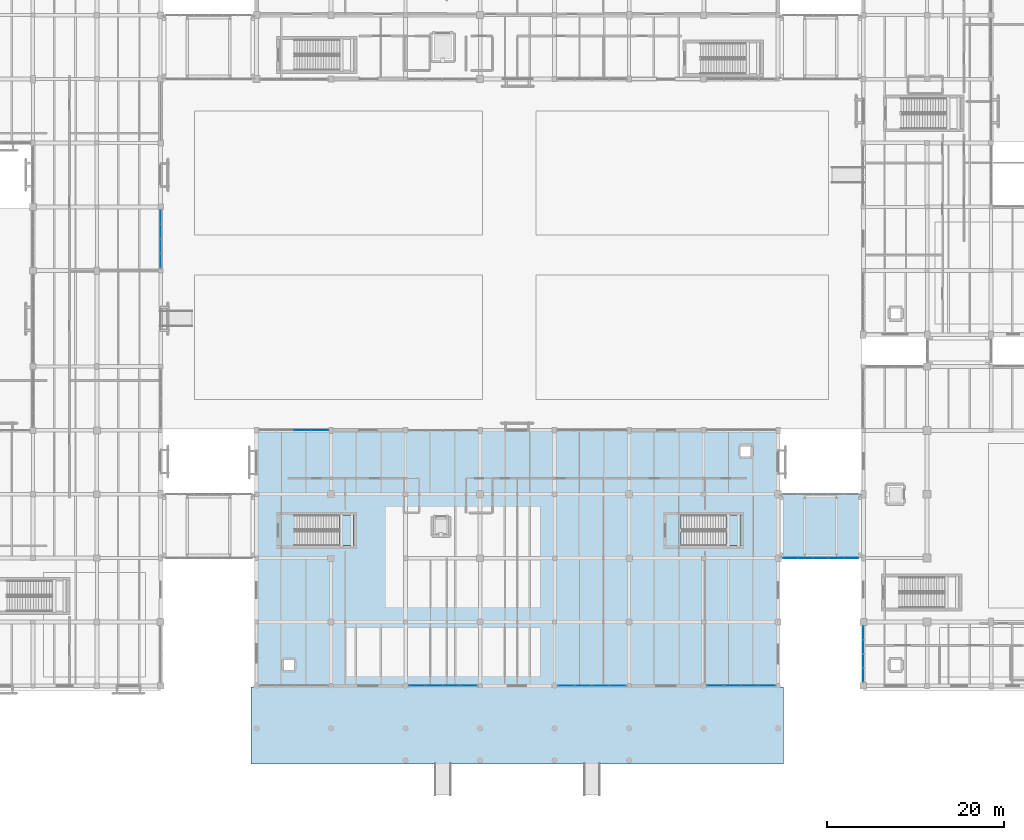
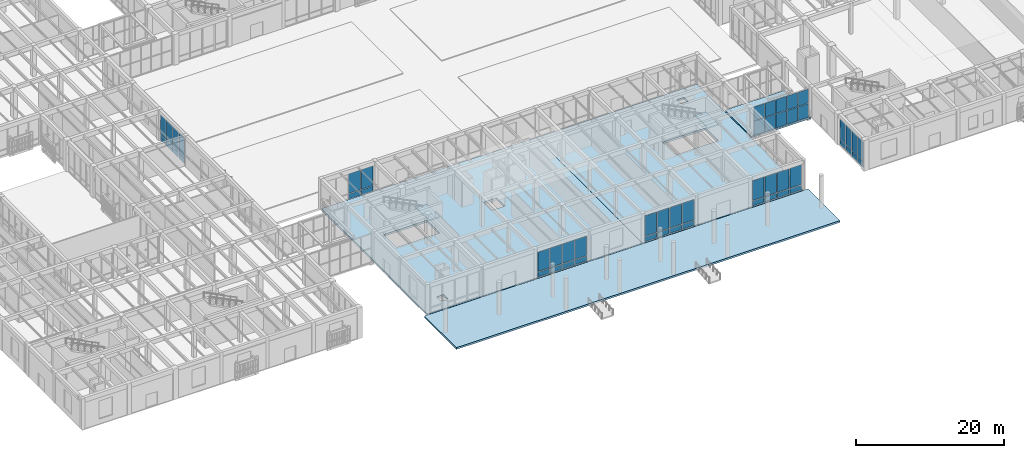
# One storey, part 111 of 169: 54 plates, 6 slabs, 9 elements without a shape of their own.
"""IFC4 building model written with IfcOpenShell, lengths in metres."""

from ifc_helpers import new_model, si_unit, direction, frame, origin, origin_2d, place, context, subcontext, project, spatial, polyline, rectangle, outline, extrude, material, layer, layer_set, type_object, element, aggregate, save


model = new_model("IFC4")

# Units and contexts
model_context = context("Model", 3, precision=1e-05, world=origin(), true_north=direction((0.0, 1.0)))
body_context = subcontext(model_context, "Body", "Model", "MODEL_VIEW")
ifc_project = project(units=[si_unit("LENGTHUNIT", "METRE"), si_unit("AREAUNIT", "SQUARE_METRE"), si_unit("VOLUMEUNIT", "CUBIC_METRE"), si_unit("PLANEANGLEUNIT", "RADIAN"), si_unit("MASSUNIT", "GRAM", prefix="KILO")], contexts=[model_context])

# Site, building, storey
site_placement = place(None, origin())
site = spatial("IfcSite", under=ifc_project, at=site_placement, CompositionType="ELEMENT")
building_placement = place(site_placement, origin())
building = spatial("IfcBuilding", under=site, at=building_placement, Name="Mazaris Harbour Polytechnic", CompositionType="ELEMENT")
storey_placement = place(building_placement, origin())
storey = spatial("IfcBuildingStorey", under=building, at=storey_placement, Name="L00", CompositionType="ELEMENT", Elevation=0.0)

# Slab
ifc_material_1 = material(Name="Glulam GL28h and Concrete C30/37", Category="concrete")
ifc_layer_1 = layer(ifc_material_1, 0.264892578125, Name="Glulam GL28h and Concrete C30/37")
ifc_layer_set_1 = layer_set([ifc_layer_1], Name="Glulam GL28h and Concrete C30/37")
slab_type_1 = type_object("IfcSlabType", Name="CLT Composite Floor 265", PredefinedType="FLOOR", material=ifc_layer_set_1)
slab_1_placement = place(storey_placement, frame((0.0, 0.0, -0.264892578125)))
element("IfcSlab", 1, at=slab_1_placement, inside=storey, type_object=slab_type_1, Name="PB-E1 L00 Bridge Deck", PredefinedType="FLOOR", context=body_context, shape_type="SweptSolid", body=[
    extrude(outline(polyline([(122.25, 21.60009765625), (122.25, 28.800048828125), (112.949951171875, 28.800048828125), (112.949951171875, 21.60009765625), (122.25, 21.60009765625)])), origin(), (0.0, 0.0, 1.0), 0.264892578125),
])

# Curtain wall, plates
ifc_material_2 = material(Name="Anodised Bronze Aluminium and Low-E Glass", Category="aluminium")
ifc_layer_2 = layer(ifc_material_2, 0.139892578125, Name="Anodised Bronze Aluminium and Low-E Glass")
ifc_layer_set_2 = layer_set([ifc_layer_2], Name="Anodised Bronze Aluminium and Low-E Glass")
curtain_wall_type_1 = type_object("IfcCurtainWallType", Name="Seismic Link Bridge Glazing", PredefinedType="NOTDEFINED", material=ifc_layer_set_2)
curtain_wall_1_placement = place(storey_placement, origin())
curtain_wall_1 = element("IfcCurtainWall", 2, at=curtain_wall_1_placement, inside=storey, type_object=curtain_wall_type_1, Name="PB-E1 L00 Bridge Glazing", PredefinedType="NOTDEFINED")
ifc_material_3 = material(Name="Anodised Bronze Insulated Panel")
ifc_layer_3 = layer(ifc_material_3, 0.0419921875, Name="Anodised Bronze Insulated Panel")
ifc_layer_set_3 = layer_set([ifc_layer_3], Name="Anodised Bronze Insulated Panel")
plate_type_1 = type_object("IfcPlateType", Name="Insulated Bronze Spandrel Panel 42", PredefinedType="CURTAIN_PANEL", material=ifc_layer_set_3)
plate_1_placement = place(storey_placement, frame((114.1640625, 21.60009765625, 0.080078125), z_axis=(0.0, 0.0, 1.0), x_axis=(1.0, 0.0, 0.0)))
plate_1 = element("IfcPlate", 3, at=plate_1_placement, type_object=plate_type_1, Name="CW-05 panel 1.1", PredefinedType="CURTAIN_PANEL", context=body_context, shape_type="SweptSolid", body=[
    extrude(rectangle(XDim=1.60791015625, YDim=0.0419921875, at=origin_2d()), origin(), (0.0, 0.0, 1.0), 2.297607421875),
])
plate_2_placement = place(storey_placement, frame((114.1640625, 21.60009765625, 2.45751953125), z_axis=(0.0, 0.0, 1.0), x_axis=(1.0, 0.0, 0.0)))
plate_2 = element("IfcPlate", 4, at=plate_2_placement, type_object=plate_type_1, Name="CW-05 panel 1.2", PredefinedType="CURTAIN_PANEL", context=body_context, shape_type="SweptSolid", body=[
    extrude(rectangle(XDim=1.60791015625, YDim=0.0419921875, at=origin_2d()), origin(), (0.0, 0.0, 1.0), 2.297607421875),
])
plate_3_placement = place(storey_placement, frame((115.8720703125, 21.60009765625, 0.080078125), z_axis=(0.0, 0.0, 1.0), x_axis=(1.0, 0.0, 0.0)))
plate_3 = element("IfcPlate", 5, at=plate_3_placement, type_object=plate_type_1, Name="CW-05 panel 2.1", PredefinedType="CURTAIN_PANEL", context=body_context, shape_type="SweptSolid", body=[
    extrude(rectangle(XDim=1.64794921875, YDim=0.0419921875, at=origin_2d()), origin(), (0.0, 0.0, 1.0), 2.297607421875),
])
plate_4_placement = place(storey_placement, frame((115.8720703125, 21.60009765625, 2.45751953125), z_axis=(0.0, 0.0, 1.0), x_axis=(1.0, 0.0, 0.0)))
plate_4 = element("IfcPlate", 6, at=plate_4_placement, type_object=plate_type_1, Name="CW-05 panel 2.2", PredefinedType="CURTAIN_PANEL", context=body_context, shape_type="SweptSolid", body=[
    extrude(rectangle(XDim=1.64794921875, YDim=0.0419921875, at=origin_2d()), origin(), (0.0, 0.0, 1.0), 2.297607421875),
])
plate_5_placement = place(storey_placement, frame((117.60009765625, 21.60009765625, 0.080078125), z_axis=(0.0, 0.0, 1.0), x_axis=(1.0, 0.0, 0.0)))
plate_5 = element("IfcPlate", 7, at=plate_5_placement, type_object=plate_type_1, Name="CW-05 panel 3.1", PredefinedType="CURTAIN_PANEL", context=body_context, shape_type="SweptSolid", body=[
    extrude(rectangle(XDim=1.64794921875, YDim=0.0419921875, at=origin_2d()), origin(), (0.0, 0.0, 1.0), 2.297607421875),
])
plate_6_placement = place(storey_placement, frame((117.60009765625, 21.60009765625, 2.45751953125), z_axis=(0.0, 0.0, 1.0), x_axis=(1.0, 0.0, 0.0)))
plate_6 = element("IfcPlate", 8, at=plate_6_placement, type_object=plate_type_1, Name="CW-05 panel 3.2", PredefinedType="CURTAIN_PANEL", context=body_context, shape_type="SweptSolid", body=[
    extrude(rectangle(XDim=1.64794921875, YDim=0.0419921875, at=origin_2d()), origin(), (0.0, 0.0, 1.0), 2.297607421875),
])
plate_7_placement = place(storey_placement, frame((119.327880859375, 21.60009765625, 0.080078125), z_axis=(0.0, 0.0, 1.0), x_axis=(1.0, 0.0, 0.0)))
plate_7 = element("IfcPlate", 9, at=plate_7_placement, type_object=plate_type_1, Name="CW-05 panel 4.1", PredefinedType="CURTAIN_PANEL", context=body_context, shape_type="SweptSolid", body=[
    extrude(rectangle(XDim=1.64794921875, YDim=0.0419921875, at=origin_2d()), origin(), (0.0, 0.0, 1.0), 2.297607421875),
])
plate_8_placement = place(storey_placement, frame((119.327880859375, 21.60009765625, 2.45751953125), z_axis=(0.0, 0.0, 1.0), x_axis=(1.0, 0.0, 0.0)))
plate_8 = element("IfcPlate", 10, at=plate_8_placement, type_object=plate_type_1, Name="CW-05 panel 4.2", PredefinedType="CURTAIN_PANEL", context=body_context, shape_type="SweptSolid", body=[
    extrude(rectangle(XDim=1.64794921875, YDim=0.0419921875, at=origin_2d()), origin(), (0.0, 0.0, 1.0), 2.297607421875),
])
plate_9_placement = place(storey_placement, frame((121.035888671875, 21.60009765625, 0.080078125), z_axis=(0.0, 0.0, 1.0), x_axis=(1.0, 0.0, 0.0)))
plate_9 = element("IfcPlate", 11, at=plate_9_placement, type_object=plate_type_1, Name="CW-05 panel 5.1", PredefinedType="CURTAIN_PANEL", context=body_context, shape_type="SweptSolid", body=[
    extrude(rectangle(XDim=1.60791015625, YDim=0.0419921875, at=origin_2d()), origin(), (0.0, 0.0, 1.0), 2.297607421875),
])
plate_10_placement = place(storey_placement, frame((121.035888671875, 21.60009765625, 2.45751953125), z_axis=(0.0, 0.0, 1.0), x_axis=(1.0, 0.0, 0.0)))
plate_10 = element("IfcPlate", 12, at=plate_10_placement, type_object=plate_type_1, Name="CW-05 panel 5.2", PredefinedType="CURTAIN_PANEL", context=body_context, shape_type="SweptSolid", body=[
    extrude(rectangle(XDim=1.60791015625, YDim=0.0419921875, at=origin_2d()), origin(), (0.0, 0.0, 1.0), 2.297607421875),
])
aggregate(curtain_wall_1, [plate_1, plate_2, plate_3, plate_4, plate_5, plate_6, plate_7, plate_8, plate_9, plate_10])

ifc_material_4 = material(Name="Anodised Bronze Aluminium and Low-E Glass", Category="aluminium")
ifc_layer_4 = layer(ifc_material_4, 0.159912109375, Name="Anodised Bronze Aluminium and Low-E Glass")
ifc_layer_set_4 = layer_set([ifc_layer_4], Name="Anodised Bronze Aluminium and Low-E Glass")
curtain_wall_type_2 = type_object("IfcCurtainWallType", Name="Cloister Court Curtain Wall", PredefinedType="NOTDEFINED", material=ifc_layer_set_4)
curtain_wall_2_placement = place(storey_placement, origin())
curtain_wall_2 = element("IfcCurtainWall", 13, at=curtain_wall_2_placement, inside=storey, type_object=curtain_wall_type_2, Name="V2 L00 Curtain Wall 41", PredefinedType="NOTDEFINED")
ifc_material_5 = material(Name="Low-E Double Glazing", Category="glass")
ifc_layer_5 = layer(ifc_material_5, 0.028076171875, Name="Low-E Double Glazing")
ifc_layer_set_5 = layer_set([ifc_layer_5], Name="Low-E Double Glazing")
plate_type_2 = type_object("IfcPlateType", Name="Low-E Vision Glass Panel 28", PredefinedType="CURTAIN_PANEL", material=ifc_layer_set_5)
plate_11_placement = place(storey_placement, frame((122.39990234375, 8.39208984375, 0.080078125), z_axis=(0.0, 0.0, 1.0), x_axis=(0.0, 1.0, 0.0)))
plate_11 = element("IfcPlate", 14, at=plate_11_placement, type_object=plate_type_2, Name="CW-02 panel 1.1", PredefinedType="CURTAIN_PANEL", context=body_context, shape_type="SweptSolid", body=[
    extrude(rectangle(XDim=1.490234375, YDim=0.028076171875, at=origin_2d()), origin(), (0.0, 0.0, 1.0), 0.830078125),
])
plate_12_placement = place(storey_placement, frame((122.39990234375, 8.39208984375, 0.98974609375), z_axis=(0.0, 0.0, 1.0), x_axis=(0.0, 1.0, 0.0)))
plate_12 = element("IfcPlate", 15, at=plate_12_placement, type_object=plate_type_2, Name="CW-02 panel 1.2", PredefinedType="CURTAIN_PANEL", context=body_context, shape_type="SweptSolid", body=[
    extrude(rectangle(XDim=1.490234375, YDim=0.028076171875, at=origin_2d()), origin(), (0.0, 0.0, 1.0), 3.320068359375),
])
plate_13_placement = place(storey_placement, frame((122.39990234375, 9.982421875, 0.080078125), z_axis=(0.0, 0.0, 1.0), x_axis=(0.0, 1.0, 0.0)))
plate_13 = element("IfcPlate", 16, at=plate_13_placement, type_object=plate_type_2, Name="CW-02 panel 2.1", PredefinedType="CURTAIN_PANEL", context=body_context, shape_type="SweptSolid", body=[
    extrude(rectangle(XDim=1.5302734375, YDim=0.028076171875, at=origin_2d()), origin(), (0.0, 0.0, 1.0), 0.830078125),
])
plate_14_placement = place(storey_placement, frame((122.39990234375, 9.982421875, 0.98974609375), z_axis=(0.0, 0.0, 1.0), x_axis=(0.0, 1.0, 0.0)))
plate_14 = element("IfcPlate", 17, at=plate_14_placement, type_object=plate_type_2, Name="CW-02 panel 2.2", PredefinedType="CURTAIN_PANEL", context=body_context, shape_type="SweptSolid", body=[
    extrude(rectangle(XDim=1.5302734375, YDim=0.028076171875, at=origin_2d()), origin(), (0.0, 0.0, 1.0), 3.320068359375),
])
plate_15_placement = place(storey_placement, frame((122.39990234375, 11.592529296875, 0.080078125), z_axis=(0.0, 0.0, 1.0), x_axis=(0.0, 1.0, 0.0)))
plate_15 = element("IfcPlate", 18, at=plate_15_placement, type_object=plate_type_2, Name="CW-02 panel 3.1", PredefinedType="CURTAIN_PANEL", context=body_context, shape_type="SweptSolid", body=[
    extrude(rectangle(XDim=1.5302734375, YDim=0.028076171875, at=origin_2d()), origin(), (0.0, 0.0, 1.0), 0.830078125),
])
plate_16_placement = place(storey_placement, frame((122.39990234375, 11.592529296875, 0.98974609375), z_axis=(0.0, 0.0, 1.0), x_axis=(0.0, 1.0, 0.0)))
plate_16 = element("IfcPlate", 19, at=plate_16_placement, type_object=plate_type_2, Name="CW-02 panel 3.2", PredefinedType="CURTAIN_PANEL", context=body_context, shape_type="SweptSolid", body=[
    extrude(rectangle(XDim=1.5302734375, YDim=0.028076171875, at=origin_2d()), origin(), (0.0, 0.0, 1.0), 3.320068359375),
])
plate_17_placement = place(storey_placement, frame((122.39990234375, 13.182861328125, 0.080078125), z_axis=(0.0, 0.0, 1.0), x_axis=(0.0, 1.0, 0.0)))
plate_17 = element("IfcPlate", 20, at=plate_17_placement, type_object=plate_type_2, Name="CW-02 panel 4.1", PredefinedType="CURTAIN_PANEL", context=body_context, shape_type="SweptSolid", body=[
    extrude(rectangle(XDim=1.490234375, YDim=0.028076171875, at=origin_2d()), origin(), (0.0, 0.0, 1.0), 0.830078125),
])
plate_18_placement = place(storey_placement, frame((122.39990234375, 13.182861328125, 0.98974609375), z_axis=(0.0, 0.0, 1.0), x_axis=(0.0, 1.0, 0.0)))
plate_18 = element("IfcPlate", 21, at=plate_18_placement, type_object=plate_type_2, Name="CW-02 panel 4.2", PredefinedType="CURTAIN_PANEL", context=body_context, shape_type="SweptSolid", body=[
    extrude(rectangle(XDim=1.490234375, YDim=0.028076171875, at=origin_2d()), origin(), (0.0, 0.0, 1.0), 3.320068359375),
])
aggregate(curtain_wall_2, [plate_11, plate_12, plate_13, plate_14, plate_15, plate_16, plate_17, plate_18])

ifc_material_6 = material(Name="Anodised Bronze Aluminium and Low-E Glass", Category="aluminium")
ifc_layer_6 = layer(ifc_material_6, 0.179931640625, Name="Anodised Bronze Aluminium and Low-E Glass")
ifc_layer_set_6 = layer_set([ifc_layer_6], Name="Anodised Bronze Aluminium and Low-E Glass")
curtain_wall_type_3 = type_object("IfcCurtainWallType", Name="Harbour Colonnade Curtain Wall", PredefinedType="NOTDEFINED", material=ifc_layer_set_6)
curtain_wall_3_placement = place(storey_placement, origin())
curtain_wall_3 = element("IfcCurtainWall", 22, at=curtain_wall_3_placement, inside=storey, type_object=curtain_wall_type_3, Name="V3 L00 Curtain Wall 61", PredefinedType="NOTDEFINED")
plate_19_placement = place(storey_placement, frame((77.930908203125, 7.199951171875, 0.119873046875), z_axis=(0.0, 0.0, 1.0), x_axis=(-1.0, 0.0, 0.0)))
plate_19 = element("IfcPlate", 23, at=plate_19_placement, type_object=plate_type_2, Name="CW-01 panel 1.1", PredefinedType="CURTAIN_PANEL", context=body_context, shape_type="SweptSolid", body=[
    extrude(rectangle(XDim=1.803955078125, YDim=0.028076171875, at=origin_2d()), origin(), (0.0, 0.0, 1.0), 0.77001953125),
])
plate_20_placement = place(storey_placement, frame((77.930908203125, 7.199951171875, 1.010009765625), z_axis=(0.0, 0.0, 1.0), x_axis=(-1.0, 0.0, 0.0)))
plate_20 = element("IfcPlate", 24, at=plate_20_placement, type_object=plate_type_2, Name="CW-01 panel 1.2", PredefinedType="CURTAIN_PANEL", context=body_context, shape_type="SweptSolid", body=[
    extrude(rectangle(XDim=1.803955078125, YDim=0.028076171875, at=origin_2d()), origin(), (0.0, 0.0, 1.0), 3.2099609375),
])
plate_21_placement = place(storey_placement, frame((76.001953125, 7.199951171875, 0.119873046875), z_axis=(0.0, 0.0, 1.0), x_axis=(-1.0, 0.0, 0.0)))
plate_21 = element("IfcPlate", 25, at=plate_21_placement, type_object=plate_type_2, Name="CW-01 panel 2.1", PredefinedType="CURTAIN_PANEL", context=body_context, shape_type="SweptSolid", body=[
    extrude(rectangle(XDim=1.85400390625, YDim=0.028076171875, at=origin_2d()), origin(), (0.0, 0.0, 1.0), 0.77001953125),
])
plate_22_placement = place(storey_placement, frame((76.001953125, 7.199951171875, 1.010009765625), z_axis=(0.0, 0.0, 1.0), x_axis=(-1.0, 0.0, 0.0)))
plate_22 = element("IfcPlate", 26, at=plate_22_placement, type_object=plate_type_2, Name="CW-01 panel 2.2", PredefinedType="CURTAIN_PANEL", context=body_context, shape_type="SweptSolid", body=[
    extrude(rectangle(XDim=1.85400390625, YDim=0.028076171875, at=origin_2d()), origin(), (0.0, 0.0, 1.0), 3.2099609375),
])
plate_23_placement = place(storey_placement, frame((74.048095703125, 7.199951171875, 0.119873046875), z_axis=(0.0, 0.0, 1.0), x_axis=(-1.0, 0.0, 0.0)))
plate_23 = element("IfcPlate", 27, at=plate_23_placement, type_object=plate_type_2, Name="CW-01 panel 3.1", PredefinedType="CURTAIN_PANEL", context=body_context, shape_type="SweptSolid", body=[
    extrude(rectangle(XDim=1.85400390625, YDim=0.028076171875, at=origin_2d()), origin(), (0.0, 0.0, 1.0), 0.77001953125),
])
plate_24_placement = place(storey_placement, frame((74.048095703125, 7.199951171875, 1.010009765625), z_axis=(0.0, 0.0, 1.0), x_axis=(-1.0, 0.0, 0.0)))
plate_24 = element("IfcPlate", 28, at=plate_24_placement, type_object=plate_type_2, Name="CW-01 panel 3.2", PredefinedType="CURTAIN_PANEL", context=body_context, shape_type="SweptSolid", body=[
    extrude(rectangle(XDim=1.85400390625, YDim=0.028076171875, at=origin_2d()), origin(), (0.0, 0.0, 1.0), 3.2099609375),
])
plate_25_placement = place(storey_placement, frame((72.118896484375, 7.199951171875, 0.119873046875), z_axis=(0.0, 0.0, 1.0), x_axis=(-1.0, 0.0, 0.0)))
plate_25 = element("IfcPlate", 29, at=plate_25_placement, type_object=plate_type_2, Name="CW-01 panel 4.1", PredefinedType="CURTAIN_PANEL", context=body_context, shape_type="SweptSolid", body=[
    extrude(rectangle(XDim=1.803955078125, YDim=0.028076171875, at=origin_2d()), origin(), (0.0, 0.0, 1.0), 0.77001953125),
])
plate_26_placement = place(storey_placement, frame((72.118896484375, 7.199951171875, 1.010009765625), z_axis=(0.0, 0.0, 1.0), x_axis=(-1.0, 0.0, 0.0)))
plate_26 = element("IfcPlate", 30, at=plate_26_placement, type_object=plate_type_2, Name="CW-01 panel 4.2", PredefinedType="CURTAIN_PANEL", context=body_context, shape_type="SweptSolid", body=[
    extrude(rectangle(XDim=1.803955078125, YDim=0.028076171875, at=origin_2d()), origin(), (0.0, 0.0, 1.0), 3.2099609375),
])
aggregate(curtain_wall_3, [plate_19, plate_20, plate_21, plate_22, plate_23, plate_24, plate_25, plate_26])

curtain_wall_4_placement = place(storey_placement, origin())
curtain_wall_4 = element("IfcCurtainWall", 31, at=curtain_wall_4_placement, inside=storey, type_object=curtain_wall_type_3, Name="V3 L00 Curtain Wall 62", PredefinedType="NOTDEFINED")
plate_27_placement = place(storey_placement, frame((94.73095703125, 7.199951171875, 0.119873046875), z_axis=(0.0, 0.0, 1.0), x_axis=(-1.0, 0.0, 0.0)))
plate_27 = element("IfcPlate", 32, at=plate_27_placement, type_object=plate_type_2, Name="CW-01 panel 1.1", PredefinedType="CURTAIN_PANEL", context=body_context, shape_type="SweptSolid", body=[
    extrude(rectangle(XDim=1.803955078125, YDim=0.028076171875, at=origin_2d()), origin(), (0.0, 0.0, 1.0), 0.77001953125),
])
plate_28_placement = place(storey_placement, frame((94.73095703125, 7.199951171875, 1.009765625), z_axis=(0.0, 0.0, 1.0), x_axis=(-1.0, 0.0, 0.0)))
plate_28 = element("IfcPlate", 33, at=plate_28_placement, type_object=plate_type_2, Name="CW-01 panel 1.2", PredefinedType="CURTAIN_PANEL", context=body_context, shape_type="SweptSolid", body=[
    extrude(rectangle(XDim=1.803955078125, YDim=0.028076171875, at=origin_2d()), origin(), (0.0, 0.0, 1.0), 3.360107421875),
])
plate_29_placement = place(storey_placement, frame((92.802001953125, 7.199951171875, 0.119873046875), z_axis=(0.0, 0.0, 1.0), x_axis=(-1.0, 0.0, 0.0)))
plate_29 = element("IfcPlate", 34, at=plate_29_placement, type_object=plate_type_2, Name="CW-01 panel 2.1", PredefinedType="CURTAIN_PANEL", context=body_context, shape_type="SweptSolid", body=[
    extrude(rectangle(XDim=1.85400390625, YDim=0.028076171875, at=origin_2d()), origin(), (0.0, 0.0, 1.0), 0.77001953125),
])
plate_30_placement = place(storey_placement, frame((92.802001953125, 7.199951171875, 1.009765625), z_axis=(0.0, 0.0, 1.0), x_axis=(-1.0, 0.0, 0.0)))
plate_30 = element("IfcPlate", 35, at=plate_30_placement, type_object=plate_type_2, Name="CW-01 panel 2.2", PredefinedType="CURTAIN_PANEL", context=body_context, shape_type="SweptSolid", body=[
    extrude(rectangle(XDim=1.85400390625, YDim=0.028076171875, at=origin_2d()), origin(), (0.0, 0.0, 1.0), 3.360107421875),
])
plate_31_placement = place(storey_placement, frame((90.847900390625, 7.199951171875, 0.119873046875), z_axis=(0.0, 0.0, 1.0), x_axis=(-1.0, 0.0, 0.0)))
plate_31 = element("IfcPlate", 36, at=plate_31_placement, type_object=plate_type_2, Name="CW-01 panel 3.1", PredefinedType="CURTAIN_PANEL", context=body_context, shape_type="SweptSolid", body=[
    extrude(rectangle(XDim=1.85400390625, YDim=0.028076171875, at=origin_2d()), origin(), (0.0, 0.0, 1.0), 0.77001953125),
])
plate_32_placement = place(storey_placement, frame((90.847900390625, 7.199951171875, 1.009765625), z_axis=(0.0, 0.0, 1.0), x_axis=(-1.0, 0.0, 0.0)))
plate_32 = element("IfcPlate", 37, at=plate_32_placement, type_object=plate_type_2, Name="CW-01 panel 3.2", PredefinedType="CURTAIN_PANEL", context=body_context, shape_type="SweptSolid", body=[
    extrude(rectangle(XDim=1.85400390625, YDim=0.028076171875, at=origin_2d()), origin(), (0.0, 0.0, 1.0), 3.360107421875),
])
plate_33_placement = place(storey_placement, frame((88.9189453125, 7.199951171875, 0.119873046875), z_axis=(0.0, 0.0, 1.0), x_axis=(-1.0, 0.0, 0.0)))
plate_33 = element("IfcPlate", 38, at=plate_33_placement, type_object=plate_type_2, Name="CW-01 panel 4.1", PredefinedType="CURTAIN_PANEL", context=body_context, shape_type="SweptSolid", body=[
    extrude(rectangle(XDim=1.803955078125, YDim=0.028076171875, at=origin_2d()), origin(), (0.0, 0.0, 1.0), 0.77001953125),
])
plate_34_placement = place(storey_placement, frame((88.9189453125, 7.199951171875, 1.009765625), z_axis=(0.0, 0.0, 1.0), x_axis=(-1.0, 0.0, 0.0)))
plate_34 = element("IfcPlate", 39, at=plate_34_placement, type_object=plate_type_2, Name="CW-01 panel 4.2", PredefinedType="CURTAIN_PANEL", context=body_context, shape_type="SweptSolid", body=[
    extrude(rectangle(XDim=1.803955078125, YDim=0.028076171875, at=origin_2d()), origin(), (0.0, 0.0, 1.0), 3.360107421875),
])
aggregate(curtain_wall_4, [plate_27, plate_28, plate_29, plate_30, plate_31, plate_32, plate_33, plate_34])

curtain_wall_5_placement = place(storey_placement, origin())
curtain_wall_5 = element("IfcCurtainWall", 40, at=curtain_wall_5_placement, inside=storey, type_object=curtain_wall_type_3, Name="V3 L00 Curtain Wall 63", PredefinedType="NOTDEFINED")
plate_35_placement = place(storey_placement, frame((111.531005859375, 7.199951171875, 0.119873046875), z_axis=(0.0, 0.0, 1.0), x_axis=(-1.0, 0.0, 0.0)))
plate_35 = element("IfcPlate", 41, at=plate_35_placement, type_object=plate_type_2, Name="CW-01 panel 1.1", PredefinedType="CURTAIN_PANEL", context=body_context, shape_type="SweptSolid", body=[
    extrude(rectangle(XDim=1.803955078125, YDim=0.028076171875, at=origin_2d()), origin(), (0.0, 0.0, 1.0), 0.77001953125),
])
plate_36_placement = place(storey_placement, frame((111.531005859375, 7.199951171875, 1.009765625), z_axis=(0.0, 0.0, 1.0), x_axis=(-1.0, 0.0, 0.0)))
plate_36 = element("IfcPlate", 42, at=plate_36_placement, type_object=plate_type_2, Name="CW-01 panel 1.2", PredefinedType="CURTAIN_PANEL", context=body_context, shape_type="SweptSolid", body=[
    extrude(rectangle(XDim=1.803955078125, YDim=0.028076171875, at=origin_2d()), origin(), (0.0, 0.0, 1.0), 3.260009765625),
])
plate_37_placement = place(storey_placement, frame((109.60205078125, 7.199951171875, 0.119873046875), z_axis=(0.0, 0.0, 1.0), x_axis=(-1.0, 0.0, 0.0)))
plate_37 = element("IfcPlate", 43, at=plate_37_placement, type_object=plate_type_2, Name="CW-01 panel 2.1", PredefinedType="CURTAIN_PANEL", context=body_context, shape_type="SweptSolid", body=[
    extrude(rectangle(XDim=1.85400390625, YDim=0.028076171875, at=origin_2d()), origin(), (0.0, 0.0, 1.0), 0.77001953125),
])
plate_38_placement = place(storey_placement, frame((109.60205078125, 7.199951171875, 1.009765625), z_axis=(0.0, 0.0, 1.0), x_axis=(-1.0, 0.0, 0.0)))
plate_38 = element("IfcPlate", 44, at=plate_38_placement, type_object=plate_type_2, Name="CW-01 panel 2.2", PredefinedType="CURTAIN_PANEL", context=body_context, shape_type="SweptSolid", body=[
    extrude(rectangle(XDim=1.85400390625, YDim=0.028076171875, at=origin_2d()), origin(), (0.0, 0.0, 1.0), 3.260009765625),
])
plate_39_placement = place(storey_placement, frame((107.64794921875, 7.199951171875, 0.119873046875), z_axis=(0.0, 0.0, 1.0), x_axis=(-1.0, 0.0, 0.0)))
plate_39 = element("IfcPlate", 45, at=plate_39_placement, type_object=plate_type_2, Name="CW-01 panel 3.1", PredefinedType="CURTAIN_PANEL", context=body_context, shape_type="SweptSolid", body=[
    extrude(rectangle(XDim=1.85400390625, YDim=0.028076171875, at=origin_2d()), origin(), (0.0, 0.0, 1.0), 0.77001953125),
])
plate_40_placement = place(storey_placement, frame((107.64794921875, 7.199951171875, 1.009765625), z_axis=(0.0, 0.0, 1.0), x_axis=(-1.0, 0.0, 0.0)))
plate_40 = element("IfcPlate", 46, at=plate_40_placement, type_object=plate_type_2, Name="CW-01 panel 3.2", PredefinedType="CURTAIN_PANEL", context=body_context, shape_type="SweptSolid", body=[
    extrude(rectangle(XDim=1.85400390625, YDim=0.028076171875, at=origin_2d()), origin(), (0.0, 0.0, 1.0), 3.260009765625),
])
plate_41_placement = place(storey_placement, frame((105.718994140625, 7.199951171875, 0.119873046875), z_axis=(0.0, 0.0, 1.0), x_axis=(-1.0, 0.0, 0.0)))
plate_41 = element("IfcPlate", 47, at=plate_41_placement, type_object=plate_type_2, Name="CW-01 panel 4.1", PredefinedType="CURTAIN_PANEL", context=body_context, shape_type="SweptSolid", body=[
    extrude(rectangle(XDim=1.803955078125, YDim=0.028076171875, at=origin_2d()), origin(), (0.0, 0.0, 1.0), 0.77001953125),
])
plate_42_placement = place(storey_placement, frame((105.718994140625, 7.199951171875, 1.009765625), z_axis=(0.0, 0.0, 1.0), x_axis=(-1.0, 0.0, 0.0)))
plate_42 = element("IfcPlate", 48, at=plate_42_placement, type_object=plate_type_2, Name="CW-01 panel 4.2", PredefinedType="CURTAIN_PANEL", context=body_context, shape_type="SweptSolid", body=[
    extrude(rectangle(XDim=1.803955078125, YDim=0.028076171875, at=origin_2d()), origin(), (0.0, 0.0, 1.0), 3.260009765625),
])
aggregate(curtain_wall_5, [plate_35, plate_36, plate_37, plate_38, plate_39, plate_40, plate_41, plate_42])

curtain_wall_6_placement = place(storey_placement, origin())
curtain_wall_6 = element("IfcCurtainWall", 49, at=curtain_wall_6_placement, inside=storey, type_object=curtain_wall_type_2, Name="V3 L00 Curtain Wall 64", PredefinedType="NOTDEFINED")
plate_43_placement = place(storey_placement, frame((59.208251953125, 36.0, 0.080078125), z_axis=(0.0, 0.0, 1.0), x_axis=(1.0, 0.0, 0.0)))
plate_43 = element("IfcPlate", 50, at=plate_43_placement, type_object=plate_type_2, Name="CW-02 panel 3.1", PredefinedType="CURTAIN_PANEL", context=body_context, shape_type="SweptSolid", body=[
    extrude(rectangle(XDim=1.886474609375, YDim=0.028076171875, at=origin_2d()), origin(), (0.0, 0.0, 1.0), 0.830078125),
])
plate_44_placement = place(storey_placement, frame((59.208251953125, 36.0, 0.989990234375), z_axis=(0.0, 0.0, 1.0), x_axis=(1.0, 0.0, 0.0)))
plate_44 = element("IfcPlate", 51, at=plate_44_placement, type_object=plate_type_2, Name="CW-02 panel 3.2", PredefinedType="CURTAIN_PANEL", context=body_context, shape_type="SweptSolid", body=[
    extrude(rectangle(XDim=1.886474609375, YDim=0.028076171875, at=origin_2d()), origin(), (0.0, 0.0, 1.0), 3.27001953125),
])
plate_45_placement = place(storey_placement, frame((61.15478515625, 36.0, 0.080078125), z_axis=(0.0, 0.0, 1.0), x_axis=(1.0, 0.0, 0.0)))
plate_45 = element("IfcPlate", 52, at=plate_45_placement, type_object=plate_type_2, Name="CW-02 panel 4.1", PredefinedType="CURTAIN_PANEL", context=body_context, shape_type="SweptSolid", body=[
    extrude(rectangle(XDim=1.846435546875, YDim=0.028076171875, at=origin_2d()), origin(), (0.0, 0.0, 1.0), 0.830078125),
])
plate_46_placement = place(storey_placement, frame((61.15478515625, 36.0, 0.989990234375), z_axis=(0.0, 0.0, 1.0), x_axis=(1.0, 0.0, 0.0)))
plate_46 = element("IfcPlate", 53, at=plate_46_placement, type_object=plate_type_2, Name="CW-02 panel 4.2", PredefinedType="CURTAIN_PANEL", context=body_context, shape_type="SweptSolid", body=[
    extrude(rectangle(XDim=1.846435546875, YDim=0.028076171875, at=origin_2d()), origin(), (0.0, 0.0, 1.0), 3.27001953125),
])
aggregate(curtain_wall_6, [plate_43, plate_44, plate_45, plate_46])

curtain_wall_7_placement = place(storey_placement, origin())
curtain_wall_7 = element("IfcCurtainWall", 54, at=curtain_wall_7_placement, inside=storey, type_object=curtain_wall_type_2, Name="V4 L00 Curtain Wall 97", PredefinedType="NOTDEFINED")
plate_47_placement = place(storey_placement, frame((43.199951171875, 60.057861328125, 0.080078125), z_axis=(0.0, 0.0, 1.0), x_axis=(0.0, -1.0, 0.0)))
plate_47 = element("IfcPlate", 55, at=plate_47_placement, type_object=plate_type_2, Name="CW-02 panel 1.1", PredefinedType="CURTAIN_PANEL", context=body_context, shape_type="SweptSolid", body=[
    extrude(rectangle(XDim=1.540283203125, YDim=0.028076171875, at=origin_2d()), origin(), (0.0, 0.0, 1.0), 0.830078125),
])
plate_48_placement = place(storey_placement, frame((43.199951171875, 60.057861328125, 0.98974609375), z_axis=(0.0, 0.0, 1.0), x_axis=(0.0, -1.0, 0.0)))
plate_48 = element("IfcPlate", 56, at=plate_48_placement, type_object=plate_type_2, Name="CW-02 panel 1.2", PredefinedType="CURTAIN_PANEL", context=body_context, shape_type="SweptSolid", body=[
    extrude(rectangle(XDim=1.540283203125, YDim=0.028076171875, at=origin_2d()), origin(), (0.0, 0.0, 1.0), 3.320068359375),
])
plate_49_placement = place(storey_placement, frame((43.199951171875, 58.417724609375, 0.080078125), z_axis=(0.0, 0.0, 1.0), x_axis=(0.0, -1.0, 0.0)))
plate_49 = element("IfcPlate", 57, at=plate_49_placement, type_object=plate_type_2, Name="CW-02 panel 2.1", PredefinedType="CURTAIN_PANEL", context=body_context, shape_type="SweptSolid", body=[
    extrude(rectangle(XDim=1.580322265625, YDim=0.028076171875, at=origin_2d()), origin(), (0.0, 0.0, 1.0), 0.830078125),
])
plate_50_placement = place(storey_placement, frame((43.199951171875, 58.417724609375, 0.98974609375), z_axis=(0.0, 0.0, 1.0), x_axis=(0.0, -1.0, 0.0)))
plate_50 = element("IfcPlate", 58, at=plate_50_placement, type_object=plate_type_2, Name="CW-02 panel 2.2", PredefinedType="CURTAIN_PANEL", context=body_context, shape_type="SweptSolid", body=[
    extrude(rectangle(XDim=1.580322265625, YDim=0.028076171875, at=origin_2d()), origin(), (0.0, 0.0, 1.0), 3.320068359375),
])
plate_51_placement = place(storey_placement, frame((43.199951171875, 56.75732421875, 0.080078125), z_axis=(0.0, 0.0, 1.0), x_axis=(0.0, -1.0, 0.0)))
plate_51 = element("IfcPlate", 59, at=plate_51_placement, type_object=plate_type_2, Name="CW-02 panel 3.1", PredefinedType="CURTAIN_PANEL", context=body_context, shape_type="SweptSolid", body=[
    extrude(rectangle(XDim=1.580322265625, YDim=0.028076171875, at=origin_2d()), origin(), (0.0, 0.0, 1.0), 0.830078125),
])
plate_52_placement = place(storey_placement, frame((43.199951171875, 56.75732421875, 0.98974609375), z_axis=(0.0, 0.0, 1.0), x_axis=(0.0, -1.0, 0.0)))
plate_52 = element("IfcPlate", 60, at=plate_52_placement, type_object=plate_type_2, Name="CW-02 panel 3.2", PredefinedType="CURTAIN_PANEL", context=body_context, shape_type="SweptSolid", body=[
    extrude(rectangle(XDim=1.580322265625, YDim=0.028076171875, at=origin_2d()), origin(), (0.0, 0.0, 1.0), 3.320068359375),
])
plate_53_placement = place(storey_placement, frame((43.199951171875, 55.1171875, 0.080078125), z_axis=(0.0, 0.0, 1.0), x_axis=(0.0, -1.0, 0.0)))
plate_53 = element("IfcPlate", 61, at=plate_53_placement, type_object=plate_type_2, Name="CW-02 panel 4.1", PredefinedType="CURTAIN_PANEL", context=body_context, shape_type="SweptSolid", body=[
    extrude(rectangle(XDim=1.540283203125, YDim=0.028076171875, at=origin_2d()), origin(), (0.0, 0.0, 1.0), 0.830078125),
])
plate_54_placement = place(storey_placement, frame((43.199951171875, 55.1171875, 0.98974609375), z_axis=(0.0, 0.0, 1.0), x_axis=(0.0, -1.0, 0.0)))
plate_54 = element("IfcPlate", 62, at=plate_54_placement, type_object=plate_type_2, Name="CW-02 panel 4.2", PredefinedType="CURTAIN_PANEL", context=body_context, shape_type="SweptSolid", body=[
    extrude(rectangle(XDim=1.540283203125, YDim=0.028076171875, at=origin_2d()), origin(), (0.0, 0.0, 1.0), 3.320068359375),
])
aggregate(curtain_wall_7, [plate_47, plate_48, plate_49, plate_50, plate_51, plate_52, plate_53, plate_54])

# Slabs
ifc_material_7 = material(Name="Concrete C35/45", Category="concrete")
ifc_layer_7 = layer(ifc_material_7, 0.300048828125, Name="Concrete C35/45")
ifc_layer_set_7 = layer_set([ifc_layer_7], Name="Concrete C35/45")
slab_type_2 = type_object("IfcSlabType", Name="RC Podium Slab 300 Exterior", PredefinedType="FLOOR", material=ifc_layer_set_7)
slab_2_placement = place(storey_placement, frame((0.0, 0.0, -0.300048828125)))
element("IfcSlab", 63, at=slab_2_placement, inside=storey, type_object=slab_type_2, Name="Harbour Colonnade and Portico Paving Slab", PredefinedType="FLOOR", context=body_context, shape_type="SweptSolid", body=[
    extrude(outline(polyline([(113.39990234375, -1.60009765625), (113.39990234375, 7.050048828125), (53.39990234375, 7.050048828125), (53.39990234375, -1.60009765625), (113.39990234375, -1.60009765625)])), origin(), (0.0, 0.0, 1.0), 0.300048828125),
])
ifc_material_8 = material(Name="Concrete C35/45", Category="concrete")
ifc_layer_8 = layer(ifc_material_8, 0.320068359375, Name="Concrete C35/45")
ifc_layer_set_8 = layer_set([ifc_layer_8], Name="Concrete C35/45")
slab_type_3 = type_object("IfcSlabType", Name="RC Podium Slab 320", PredefinedType="FLOOR", material=ifc_layer_set_8)
slab_3_placement = place(storey_placement, frame((0.0, 0.0, -0.320068359375)))
element("IfcSlab", 64, at=slab_3_placement, inside=storey, type_object=slab_type_3, Name="V3 L00 Floor Slab", PredefinedType="FLOOR", context=body_context, shape_type="SweptSolid", body=[
    extrude(outline(polyline([(54.0, 36.0), (87.60009765625, 36.0), (87.60009765625, 7.199951171875), (54.0, 7.199951171875), (54.0, 36.0)]), holes=[polyline([(58.27490234375, 26.449951171875), (58.27490234375, 23.0), (65.0, 23.0), (65.0, 26.449951171875), (58.27490234375, 26.449951171875)]), polyline([(75.800048828125, 24.10009765625), (75.800048828125, 26.300048828125), (73.800048828125, 26.300048828125), (73.800048828125, 24.10009765625), (75.800048828125, 24.10009765625)]), polyline([(57.10009765625, 9.0), (58.219970703125, 9.0), (58.219970703125, 10.1201171875), (57.10009765625, 10.1201171875), (57.10009765625, 9.0)])]), origin(), (0.0, 0.0, 1.0), 0.320068359375),
])
slab_4_placement = place(storey_placement, frame((0.0, 0.0, -0.320068359375)))
element("IfcSlab", 65, at=slab_4_placement, inside=storey, type_object=slab_type_3, Name="V3 L00 Floor Slab", PredefinedType="FLOOR", context=body_context, shape_type="SweptSolid", body=[
    extrude(outline(polyline([(112.800048828125, 36.0), (112.800048828125, 7.199951171875), (87.60009765625, 7.199951171875), (87.60009765625, 36.0), (112.800048828125, 36.0)]), holes=[polyline([(108.60009765625, 26.449951171875), (101.875, 26.449951171875), (101.875, 23.0), (108.60009765625, 23.0), (108.60009765625, 26.449951171875)]), polyline([(108.580078125, 34.199951171875), (108.580078125, 33.080078125), (109.699951171875, 33.080078125), (109.699951171875, 34.199951171875), (108.580078125, 34.199951171875)])]), origin(), (0.0, 0.0, 1.0), 0.320068359375),
])

# Stair, slab
ifc_material_9 = material(Name="Concrete C40/50", Category="concrete")
stair_type = type_object("IfcStairType", Name="Core Exit Stair H5400", PredefinedType="HALF_TURN_STAIR", material=ifc_material_9)
stair_1_placement = place(storey_placement, origin())
stair_1 = element("IfcStair", 66, at=stair_1_placement, inside=storey, type_object=stair_type, Name="L00 ST05", PredefinedType="HALF_TURN_STAIR")
ifc_material_10 = material(Name="Concrete C40/50", Category="concrete")
ifc_layer_9 = layer(ifc_material_10, 0.199951171875, Name="Concrete C40/50")
ifc_layer_set_9 = layer_set([ifc_layer_9], Name="Concrete C40/50")
slab_type_4 = type_object("IfcSlabType", Name="RC Stair Landing 200", PredefinedType="LANDING", material=ifc_layer_set_9)
slab_5_placement = place(storey_placement, frame((0.0, 0.0, 2.5)))
slab_5 = element("IfcSlab", 67, at=slab_5_placement, type_object=slab_type_4, Name="ST05 landing 1", PredefinedType="LANDING", context=body_context, shape_type="SweptSolid", body=[
    extrude(outline(polyline([(63.35009765625, 23.0), (65.0, 23.0), (65.0, 26.449951171875), (63.35009765625, 26.449951171875), (63.35009765625, 23.0)])), origin(), (0.0, 0.0, 1.0), 0.199951171875),
])
aggregate(stair_1, [slab_5])

stair_2_placement = place(storey_placement, origin())
stair_2 = element("IfcStair", 68, at=stair_2_placement, inside=storey, type_object=stair_type, Name="L00 ST06", PredefinedType="HALF_TURN_STAIR")
slab_6_placement = place(storey_placement, frame((0.0, 0.0, 2.5)))
slab_6 = element("IfcSlab", 69, at=slab_6_placement, type_object=slab_type_4, Name="ST06 landing 1", PredefinedType="LANDING", context=body_context, shape_type="SweptSolid", body=[
    extrude(outline(polyline([(106.949951171875, 23.0), (108.60009765625, 23.0), (108.60009765625, 26.449951171875), (106.949951171875, 26.449951171875), (106.949951171875, 23.0)])), origin(), (0.0, 0.0, 1.0), 0.199951171875),
])
aggregate(stair_2, [slab_6])

save(model, "model.ifc")
